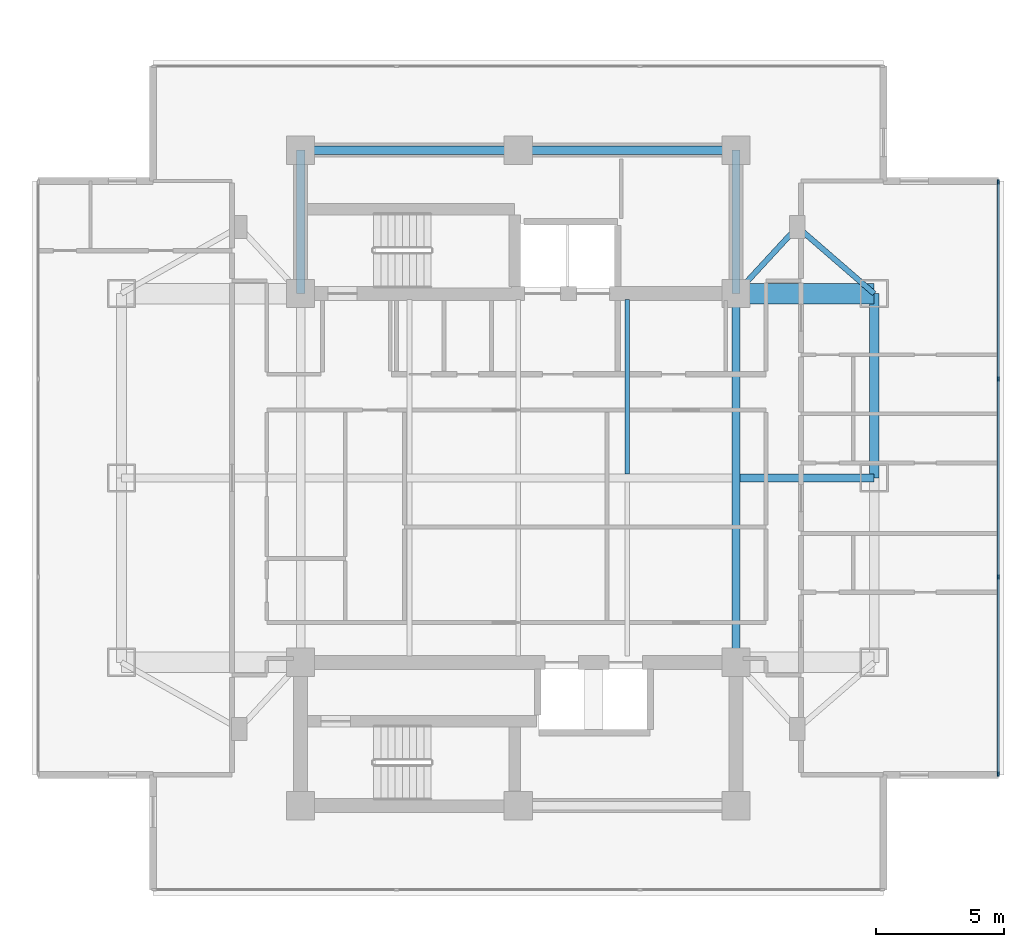
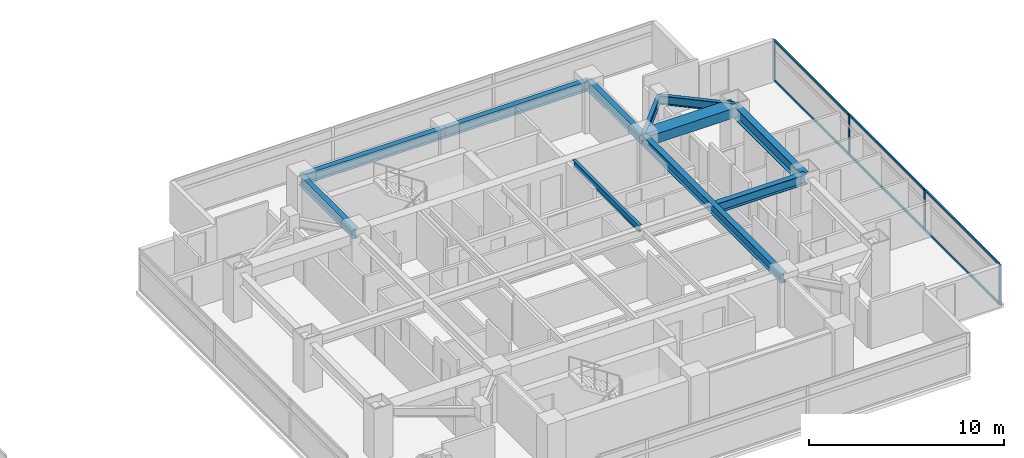
# One storey, part 10 of 24: 11 beams, 10 members, 1 element without a shape of its own.
"""IFC4 building model written with IfcOpenShell, lengths in metres."""

from ifc_helpers import new_model, si_unit, direction, frame, origin, origin_2d, place, context, subcontext, project, spatial, rectangle, i_section, extrude, material, material_profile, profile_set, type_object, element, aggregate, save


model = new_model("IFC4")

# Units and contexts
model_context = context("Model", 3, precision=1e-05, world=origin(), true_north=direction((0.0, 1.0)))
body_context = subcontext(model_context, "Body", "Model", "MODEL_VIEW")
ifc_project = project(units=[si_unit("LENGTHUNIT", "METRE"), si_unit("AREAUNIT", "SQUARE_METRE"), si_unit("VOLUMEUNIT", "CUBIC_METRE"), si_unit("PLANEANGLEUNIT", "RADIAN"), si_unit("MASSUNIT", "GRAM", prefix="KILO")], contexts=[model_context])

# Site, building, storey
site_placement = place(None, origin())
site = spatial("IfcSite", under=ifc_project, at=site_placement, CompositionType="ELEMENT")
building_placement = place(site_placement, origin())
building = spatial("IfcBuilding", under=site, at=building_placement, Name="Mirazonda Arch Towers", CompositionType="ELEMENT")
storey_placement = place(building_placement, frame((0.0, 0.0, 144.5)))
storey = spatial("IfcBuildingStorey", under=building, at=storey_placement, Name="L41", CompositionType="ELEMENT", Elevation=144.5)

# Beams
ifc_material_1 = material(Name="Steel ASTM A992 Grade 50", Category="steel")
ifc_material_profile_1 = material_profile(ifc_material_1, i_section(OverallWidth=0.381103515625, OverallDepth=0.77294921875, WebThickness=0.0166015625, FlangeThickness=0.027099609375, at=origin_2d()), Name="W30X173")
ifc_profile_set_1 = profile_set([ifc_material_profile_1], Name="Steel ASTM A992 Grade 50")
beam_type_1 = type_object("IfcBeamType", Name="BM-EXT-W30X173", PredefinedType="USERDEFINED", material=ifc_profile_set_1)
beam_1_placement = place(storey_placement, frame((90.39990234375, 28.0, 2.553466796875), z_axis=(0.0, 1.0, 0.0), x_axis=(-1.0, 0.0, 0.0)))
element("IfcBeam", 1, at=beam_1_placement, inside=storey, type_object=beam_type_1, Name="L41 Floor Beam BMT-T2-L41-NS-E-28", ObjectType="GIRDER", PredefinedType="USERDEFINED", context=body_context, shape_type="SweptSolid", body=[
    extrude(i_section(OverallWidth=0.381103515625, OverallDepth=0.77294921875, WebThickness=0.0166015625, FlangeThickness=0.027099609375, at=origin_2d()), origin(), (0.0, 0.0, 1.0), 7.199951171875),
])
ifc_material_profile_2 = material_profile(ifc_material_1, i_section(OverallWidth=0.180908203125, OverallDepth=0.4169921875, WebThickness=0.010986328125, FlangeThickness=0.018310546875, at=origin_2d()), Name="W16X57")
ifc_profile_set_2 = profile_set([ifc_material_profile_2], Name="Steel ASTM A992 Grade 50")
beam_type_2 = type_object("IfcBeamType", Name="BM-INT-W16X57", PredefinedType="JOIST", material=ifc_profile_set_2)
beam_2_placement = place(storey_placement, frame((80.75, 28.158447265625, 2.7314453125), z_axis=(0.0, 1.0, 0.0), x_axis=(-1.0, 0.0, 0.0)))
element("IfcBeam", 2, at=beam_2_placement, inside=storey, type_object=beam_type_2, Name="L41 Floor Beam BM-T2-L41-J-807-28", PredefinedType="JOIST", context=body_context, shape_type="SweptSolid", body=[
    extrude(i_section(OverallWidth=0.180908203125, OverallDepth=0.4169921875, WebThickness=0.010986328125, FlangeThickness=0.018310546875, at=origin_2d()), origin(), (0.0, 0.0, 1.0), 6.801513671875),
])
ifc_material_profile_3 = material_profile(ifc_material_1, i_section(OverallWidth=0.214111328125, OverallDepth=0.549072265625, WebThickness=0.0146484375, FlangeThickness=0.023681640625, at=origin_2d()), Name="W21X93")
ifc_profile_set_3 = profile_set([ifc_material_profile_3], Name="Steel ASTM A992 Grade 50")
beam_type_3 = type_object("IfcBeamType", Name="BM-INT-W21X93", PredefinedType="BEAM", material=ifc_profile_set_3)
beam_3_placement = place(storey_placement, frame((87.39990234375, 37.800048828125, 2.66552734375), z_axis=(-0.678251444854, -0.734829897019, 0.0), x_axis=(0.734829897019, -0.678251444854, 0.0)))
element("IfcBeam", 3, at=beam_3_placement, inside=storey, type_object=beam_type_3, Name="L41 Floor Beam BMT-T2-L41-PL-NE1", PredefinedType="BEAM", context=body_context, shape_type="SweptSolid", body=[
    extrude(i_section(OverallWidth=0.214111328125, OverallDepth=0.549072265625, WebThickness=0.0146484375, FlangeThickness=0.023681640625, at=origin_2d()), origin(), (0.0, 0.0, 1.0), 3.538330078125),
])
beam_4_placement = place(storey_placement, frame((87.39990234375, 37.800048828125, 2.66552734375), z_axis=(0.755676908098, -0.654944585876, 0.0), x_axis=(0.654944585876, 0.755676908098, 0.0)))
element("IfcBeam", 4, at=beam_4_placement, inside=storey, type_object=beam_type_3, Name="L41 Floor Beam BMT-T2-L41-PL-NE2", PredefinedType="BEAM", context=body_context, shape_type="SweptSolid", body=[
    extrude(i_section(OverallWidth=0.214111328125, OverallDepth=0.549072265625, WebThickness=0.0146484375, FlangeThickness=0.023681640625, at=origin_2d()), origin(), (0.0, 0.0, 1.0), 3.969970703125),
])
ifc_material_profile_4 = material_profile(ifc_material_1, i_section(OverallWidth=0.324951171875, OverallDepth=0.615966796875, WebThickness=0.013916015625, FlangeThickness=0.021484375, at=origin_2d()), Name="W24X117")
ifc_profile_set_4 = profile_set([ifc_material_profile_4], Name="Steel ASTM A992 Grade 50")
beam_type_4 = type_object("IfcBeamType", Name="BM-INT-W24X117", PredefinedType="BEAM", material=ifc_profile_set_4)
for number, where, z_axis, x_axis, name in (
    (5, (68.0, 40.800048828125, 2.632080078125), (1.0, 0.0, 0.0), (0.0, 1.0, 0.0), "L41 Floor Beam BMT-T2-L41-CN1"),
    (6, (76.5, 40.800048828125, 2.632080078125), (1.0, 0.0, 0.0), (0.0, 1.0, 0.0), "L41 Floor Beam BMT-T2-L41-CN2"),
):
    element("IfcBeam", number, at=place(storey_placement, frame(where, z_axis=z_axis, x_axis=x_axis)), inside=storey, type_object=beam_type_4, Name=name, PredefinedType="BEAM", context=body_context, shape_type="SweptSolid", body=[
        extrude(i_section(OverallWidth=0.324951171875, OverallDepth=0.615966796875, WebThickness=0.013916015625, FlangeThickness=0.021484375, at=origin_2d()), origin(), (0.0, 0.0, 1.0), 8.5),
    ])
for number, where, z_axis, x_axis, name in (
    (7, (68.0, 35.199951171875, 2.632080078125), (0.0, 1.0, 0.0), (-1.0, 0.0, 0.0), "L41 Floor Beam BMT-T2-L41-CNW"),
    (8, (85.0, 35.199951171875, 2.632080078125), (0.0, 1.0, 0.0), (-1.0, 0.0, 0.0), "L41 Floor Beam BMT-T2-L41-CNE"),
):
    element("IfcBeam", number, at=place(storey_placement, frame(where, z_axis=z_axis, x_axis=x_axis)), inside=storey, type_object=beam_type_4, Name=name, PredefinedType="BEAM", context=body_context, shape_type="SweptSolid", body=[
        extrude(i_section(OverallWidth=0.324951171875, OverallDepth=0.615966796875, WebThickness=0.013916015625, FlangeThickness=0.021484375, at=origin_2d()), origin(), (0.0, 0.0, 1.0), 5.60009765625),
    ])
beam_5_placement = place(storey_placement, frame((85.16259765625, 28.0, 2.632080078125), z_axis=(1.0, 0.0, 0.0), x_axis=(0.0, 1.0, 0.0)))
element("IfcBeam", 9, at=beam_5_placement, inside=storey, type_object=beam_type_4, Name="L41 Floor Beam BMT-T2-L41-GE2", PredefinedType="BEAM", context=body_context, shape_type="SweptSolid", body=[
    extrude(i_section(OverallWidth=0.324951171875, OverallDepth=0.615966796875, WebThickness=0.013916015625, FlangeThickness=0.021484375, at=origin_2d()), origin(), (0.0, 0.0, 1.0), 5.2373046875),
])
beam_6_placement = place(storey_placement, frame((85.0, 20.800048828125, 2.632080078125), z_axis=(0.0, 1.0, 0.0), x_axis=(-1.0, 0.0, 0.0)))
element("IfcBeam", 10, at=beam_6_placement, inside=storey, type_object=beam_type_4, Name="L41 Floor Beam BMT-T2-L41-NS-CE-FULL", PredefinedType="BEAM", context=body_context, shape_type="SweptSolid", body=[
    extrude(i_section(OverallWidth=0.324951171875, OverallDepth=0.615966796875, WebThickness=0.013916015625, FlangeThickness=0.021484375, at=origin_2d()), origin(), (0.0, 0.0, 1.0), 14.39990234375),
])
ifc_material_2 = material(Name="Concrete C60/75", Category="concrete")
ifc_material_profile_5 = material_profile(ifc_material_2, rectangle(XDim=0.800048828125, YDim=0.60009765625, at=origin_2d()), Name="RCCB800x600")
ifc_profile_set_5 = profile_set([ifc_material_profile_5], Name="Concrete C60/75")
beam_type_5 = type_object("IfcBeamType", Name="CB-INT-RCCB800x600", PredefinedType="SPANDREL", material=ifc_profile_set_5)
beam_7_placement = place(storey_placement, frame((85.0, 35.199951171875, 2.639892578125), z_axis=(1.0, 0.0, 0.0), x_axis=(0.0, 1.0, 0.0)))
element("IfcBeam", 11, at=beam_7_placement, inside=storey, type_object=beam_type_5, Name="L41 Floor Beam CBC-T2-L41-NE", PredefinedType="SPANDREL", context=body_context, shape_type="SweptSolid", body=[
    extrude(rectangle(XDim=0.800048828125, YDim=0.60009765625, at=origin_2d()), origin(), (0.0, 0.0, 1.0), 5.39990234375),
])

# Curtain wall, members
ifc_material_3 = material(Name="Anodised Aluminium and Low-E Glass", Category="aluminium")
curtain_wall_type = type_object("IfcCurtainWallType", Name="CW-HTL-UNIT", PredefinedType="NOTDEFINED", material=ifc_material_3)
curtain_wall_placement = place(storey_placement, origin())
curtain_wall = element("IfcCurtainWall", 12, at=curtain_wall_placement, inside=storey, type_object=curtain_wall_type, Name="L41 T2 E Facade CW-L41-T2-E", PredefinedType="NOTDEFINED")
ifc_material_4 = material(Name="Anodised Aluminium Alloy", Category="aluminium")
ifc_material_profile_6 = material_profile(ifc_material_4, rectangle(XDim=0.074951171875, YDim=0.1650390625, at=origin_2d()), Name="ALU-MULL-75x165")
ifc_profile_set_6 = profile_set([ifc_material_profile_6], Name="Anodised Aluminium Alloy")
member_type_1 = type_object("IfcMemberType", Name="MULL-CW-HTL-UNIT", PredefinedType="MULLION", material=ifc_profile_set_6)
member_1_placement = place(storey_placement, frame((95.2490234375, 16.438720703125, 0.0), z_axis=(0.0, 0.0, 1.0), x_axis=(-1.0, 0.0, 0.0)))
member_1 = element("IfcMember", 13, at=member_1_placement, type_object=member_type_1, Name="CW-112 mullion 1", PredefinedType="MULLION", context=body_context, shape_type="SweptSolid", body=[
    extrude(rectangle(XDim=0.074951171875, YDim=0.1650390625, at=origin_2d()), origin(), (0.0, 0.0, 1.0), 2.56005859375),
])
member_2_placement = place(storey_placement, frame((95.2490234375, 24.1337890625, 0.0), z_axis=(0.0, 0.0, 1.0), x_axis=(-1.0, 0.0, 0.0)))
member_2 = element("IfcMember", 14, at=member_2_placement, type_object=member_type_1, Name="CW-112 mullion 2", PredefinedType="MULLION", context=body_context, shape_type="SweptSolid", body=[
    extrude(rectangle(XDim=0.074951171875, YDim=0.1650390625, at=origin_2d()), origin(), (0.0, 0.0, 1.0), 2.56005859375),
])
member_3_placement = place(storey_placement, frame((95.2490234375, 31.8662109375, 0.0), z_axis=(0.0, 0.0, 1.0), x_axis=(-1.0, 0.0, 0.0)))
member_3 = element("IfcMember", 15, at=member_3_placement, type_object=member_type_1, Name="CW-112 mullion 3", PredefinedType="MULLION", context=body_context, shape_type="SweptSolid", body=[
    extrude(rectangle(XDim=0.074951171875, YDim=0.1650390625, at=origin_2d()), origin(), (0.0, 0.0, 1.0), 2.56005859375),
])
member_4_placement = place(storey_placement, frame((95.2490234375, 39.561279296875, 0.0), z_axis=(0.0, 0.0, 1.0), x_axis=(-1.0, 0.0, 0.0)))
member_4 = element("IfcMember", 16, at=member_4_placement, type_object=member_type_1, Name="CW-112 mullion 4", PredefinedType="MULLION", context=body_context, shape_type="SweptSolid", body=[
    extrude(rectangle(XDim=0.074951171875, YDim=0.1650390625, at=origin_2d()), origin(), (0.0, 0.0, 1.0), 2.56005859375),
])
ifc_material_profile_7 = material_profile(ifc_material_4, rectangle(XDim=0.074951171875, YDim=0.14501953125, at=origin_2d()), Name="ALU-TRAN-75x145")
ifc_profile_set_7 = profile_set([ifc_material_profile_7], Name="Anodised Aluminium Alloy")
member_type_2 = type_object("IfcMemberType", Name="TRAN-CW-HTL-UNIT", PredefinedType="USERDEFINED", material=ifc_profile_set_7)
member_5_placement = place(storey_placement, frame((95.2490234375, 16.47607421875, 0.03759765625), z_axis=(0.0, 1.0, 0.0), x_axis=(-1.0, 0.0, 0.0)))
member_5 = element("IfcMember", 17, at=member_5_placement, type_object=member_type_2, Name="CW-112 transom 1.1", ObjectType="TRANSOM", PredefinedType="USERDEFINED", context=body_context, shape_type="SweptSolid", body=[
    extrude(rectangle(XDim=0.074951171875, YDim=0.14501953125, at=origin_2d()), origin(), (0.0, 0.0, 1.0), 7.6201171875),
])
member_6_placement = place(storey_placement, frame((95.2490234375, 16.47607421875, 2.5224609375), z_axis=(0.0, 1.0, 0.0), x_axis=(-1.0, 0.0, 0.0)))
member_6 = element("IfcMember", 18, at=member_6_placement, type_object=member_type_2, Name="CW-112 transom 1.2", ObjectType="TRANSOM", PredefinedType="USERDEFINED", context=body_context, shape_type="SweptSolid", body=[
    extrude(rectangle(XDim=0.074951171875, YDim=0.14501953125, at=origin_2d()), origin(), (0.0, 0.0, 1.0), 7.6201171875),
])
member_7_placement = place(storey_placement, frame((95.2490234375, 24.171142578125, 0.03759765625), z_axis=(0.0, 1.0, 0.0), x_axis=(-1.0, 0.0, 0.0)))
member_7 = element("IfcMember", 19, at=member_7_placement, type_object=member_type_2, Name="CW-112 transom 2.1", ObjectType="TRANSOM", PredefinedType="USERDEFINED", context=body_context, shape_type="SweptSolid", body=[
    extrude(rectangle(XDim=0.074951171875, YDim=0.14501953125, at=origin_2d()), origin(), (0.0, 0.0, 1.0), 7.65771484375),
])
member_8_placement = place(storey_placement, frame((95.2490234375, 24.171142578125, 2.5224609375), z_axis=(0.0, 1.0, 0.0), x_axis=(-1.0, 0.0, 0.0)))
member_8 = element("IfcMember", 20, at=member_8_placement, type_object=member_type_2, Name="CW-112 transom 2.2", ObjectType="TRANSOM", PredefinedType="USERDEFINED", context=body_context, shape_type="SweptSolid", body=[
    extrude(rectangle(XDim=0.074951171875, YDim=0.14501953125, at=origin_2d()), origin(), (0.0, 0.0, 1.0), 7.65771484375),
])
member_9_placement = place(storey_placement, frame((95.2490234375, 31.90380859375, 0.03759765625), z_axis=(0.0, 1.0, 0.0), x_axis=(-1.0, 0.0, 0.0)))
member_9 = element("IfcMember", 21, at=member_9_placement, type_object=member_type_2, Name="CW-112 transom 3.1", ObjectType="TRANSOM", PredefinedType="USERDEFINED", context=body_context, shape_type="SweptSolid", body=[
    extrude(rectangle(XDim=0.074951171875, YDim=0.14501953125, at=origin_2d()), origin(), (0.0, 0.0, 1.0), 7.6201171875),
])
member_10_placement = place(storey_placement, frame((95.2490234375, 31.90380859375, 2.5224609375), z_axis=(0.0, 1.0, 0.0), x_axis=(-1.0, 0.0, 0.0)))
member_10 = element("IfcMember", 22, at=member_10_placement, type_object=member_type_2, Name="CW-112 transom 3.2", ObjectType="TRANSOM", PredefinedType="USERDEFINED", context=body_context, shape_type="SweptSolid", body=[
    extrude(rectangle(XDim=0.074951171875, YDim=0.14501953125, at=origin_2d()), origin(), (0.0, 0.0, 1.0), 7.6201171875),
])
aggregate(curtain_wall, [member_1, member_2, member_3, member_4, member_5, member_6, member_7, member_8, member_9, member_10])

save(model, "model.ifc")
